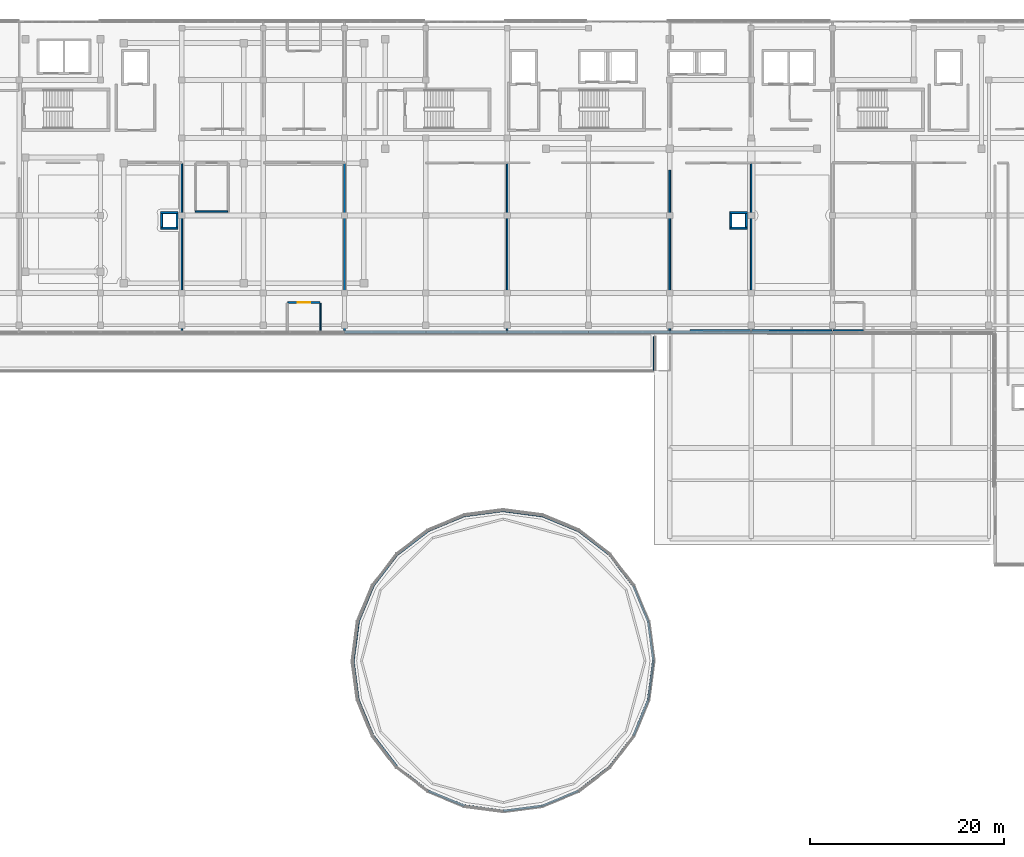
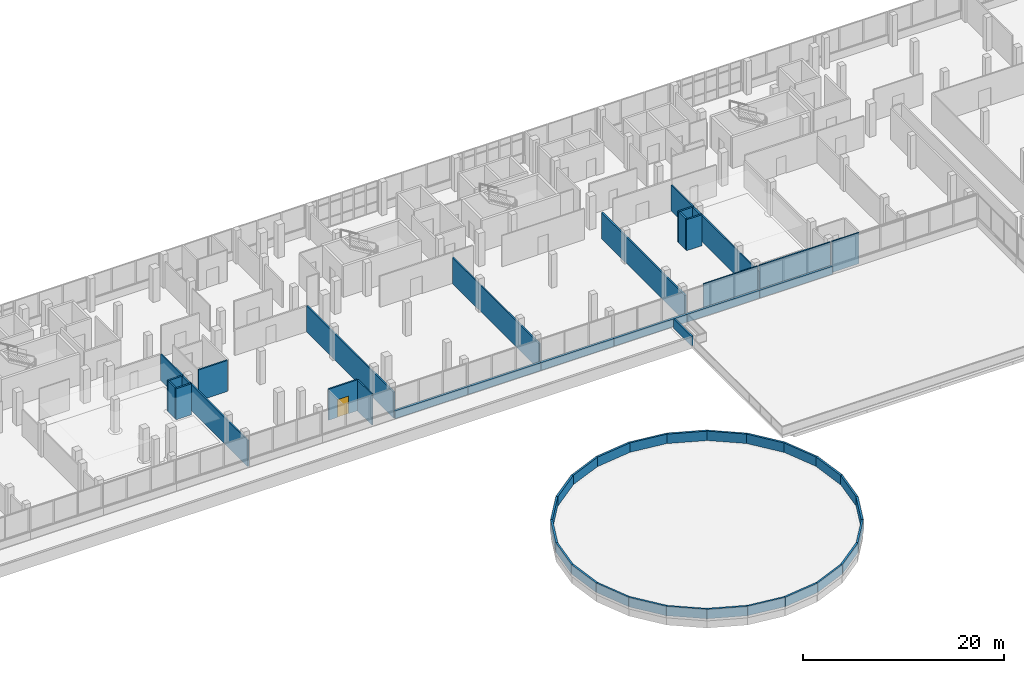
# One storey, part 65 of 78: 50 walls, 1 door, 1 opening.
"""IFC4 building model written with IfcOpenShell, lengths in metres."""

from ifc_helpers import new_model, si_unit, direction, frame, frame_2d, origin, place, context, subcontext, project, spatial, rectangle, extrude, material, layer, layer_set, type_object, element, fill, save


model = new_model("IFC4")

# Units and contexts
model_context = context("Model", 3, precision=1e-05, world=origin(), true_north=direction((0.0, 1.0)))
body_context = subcontext(model_context, "Body", "Model", "MODEL_VIEW")
ifc_project = project(units=[si_unit("LENGTHUNIT", "METRE"), si_unit("AREAUNIT", "SQUARE_METRE"), si_unit("VOLUMEUNIT", "CUBIC_METRE"), si_unit("PLANEANGLEUNIT", "RADIAN"), si_unit("MASSUNIT", "GRAM", prefix="KILO")], contexts=[model_context])

# Site, building, storey
site_placement = place(None, origin())
site = spatial("IfcSite", under=ifc_project, at=site_placement, CompositionType="ELEMENT")
building_placement = place(site_placement, origin())
building = spatial("IfcBuilding", under=site, at=building_placement, Name="Selatvlak General Hospital", CompositionType="ELEMENT")
storey_placement = place(building_placement, frame((0.0, 0.0, 23.25)))
storey = spatial("IfcBuildingStorey", under=building, at=storey_placement, Name="L05", CompositionType="ELEMENT", Elevation=23.25)

# Walls
ifc_material_1 = material(Name="Precast concrete C40/50 - white Bauhaus spandrel", Category="concrete")
ifc_layer_1 = layer(ifc_material_1, 0.280029296875, Name="Precast concrete C40/50 - white Bauhaus spandrel", Category="concrete")
ifc_layer_set_1 = layer_set([ifc_layer_1], Name="Precast concrete C40/50 - white Bauhaus spandrel")
wall_type_1 = type_object("IfcWallType", Name="WALL-EW-02", PredefinedType="SOLIDWALL", material=ifc_layer_set_1)
for number, where, z_axis, x_axis, name in (
    (1, (131.998046875, 87.947998046875, 0.0), (0.0, 0.0, 1.0), (-0.999999891771, 0.000465251476, 0.0), "L05 Bauhaus spandrel sill wall 0510"),
    (2, (123.597900390625, 87.951904296875, 0.0), (0.0, 0.0, 1.0), (-0.999999877819, 0.000494329687, 0.0), "L05 Bauhaus spandrel sill wall 0511"),
    (3, (115.197998046875, 87.9560546875, 0.0), (0.0, 0.0, 1.0), (-0.999999891771, 0.000465251476, 0.0), "L05 Bauhaus spandrel sill wall 0512"),
    (4, (106.798095703125, 87.9599609375, 0.0), (0.0, 0.0, 1.0), (-0.999999877819, 0.000494329687, 0.0), "L05 Bauhaus spandrel sill wall 0513"),
    (5, (98.39794921875, 87.964111328125, 0.0), (0.0, 0.0, 1.0), (-0.999999891771, 0.000465251476, 0.0), "L05 Bauhaus spandrel sill wall 0514"),
    (6, (89.998046875, 87.968017578125, 0.0), (0.0, 0.0, 1.0), (-0.999999891771, 0.000465251476, 0.0), "L05 Bauhaus spandrel sill wall 0515"),
):
    element("IfcWall", number, at=place(storey_placement, frame(where, z_axis=z_axis, x_axis=x_axis)), inside=storey, type_object=wall_type_1, Name=name, PredefinedType="SOLIDWALL", context=body_context, shape_type="SweptSolid", body=[
        extrude(rectangle(XDim=8.39599609375, YDim=0.280029296875, at=frame_2d((4.197998046875, 0.0))), origin(), (0.0, 0.0, 1.0), 0.93994140625),
    ])
ifc_material_2 = material(Name="Concrete C40/50", Category="concrete")
ifc_layer_2 = layer(ifc_material_2, 0.199951171875, Name="Concrete C40/50", Category="concrete")
ifc_layer_set_2 = layer_set([ifc_layer_2], Name="Concrete C40/50")
wall_type_2 = type_object("IfcWallType", Name="WALL-IW-02", PredefinedType="SOLIDWALL", material=ifc_layer_set_2)
wall_1_placement = place(storey_placement, frame((62.60009765625, 98.699951171875, 0.0), z_axis=(0.0, 0.0, 1.0), x_axis=(1.0, 0.0, 0.0)))
element("IfcWall", 7, at=wall_1_placement, inside=storey, type_object=wall_type_2, Name="Service riser 1 shaft wall L05 S", PredefinedType="SOLIDWALL", context=body_context, shape_type="SweptSolid", body=[
    extrude(rectangle(XDim=1.7998046875, YDim=0.199951171875, at=frame_2d((0.89990234375, 0.0))), origin(), (0.0, 0.0, 1.0), 3.77490234375),
])
wall_2_placement = place(storey_placement, frame((64.300048828125, 98.800048828125, 0.0), z_axis=(0.0, 0.0, 1.0), x_axis=(0.0, 1.0, 0.0)))
element("IfcWall", 8, at=wall_2_placement, inside=storey, type_object=wall_type_2, Name="Service riser 1 shaft wall L05 E", PredefinedType="SOLIDWALL", context=body_context, shape_type="SweptSolid", body=[
    extrude(rectangle(XDim=1.39990234375, YDim=0.199951171875, at=frame_2d((0.699951171875, 0.0))), origin(), (0.0, 0.0, 1.0), 3.77490234375),
])
wall_3_placement = place(storey_placement, frame((64.39990234375, 100.300048828125, 0.0), z_axis=(0.0, 0.0, 1.0), x_axis=(-1.0, 0.0, 0.0)))
element("IfcWall", 9, at=wall_3_placement, inside=storey, type_object=wall_type_2, Name="Service riser 1 shaft wall L05 N", PredefinedType="SOLIDWALL", context=body_context, shape_type="SweptSolid", body=[
    extrude(rectangle(XDim=1.7998046875, YDim=0.199951171875, at=frame_2d((0.89990234375, 0.0))), origin(), (0.0, 0.0, 1.0), 3.77490234375),
])
wall_4_placement = place(storey_placement, frame((62.699951171875, 100.199951171875, 0.0), z_axis=(0.0, 0.0, 1.0), x_axis=(0.0, -1.0, 0.0)))
element("IfcWall", 10, at=wall_4_placement, inside=storey, type_object=wall_type_2, Name="Service riser 1 shaft wall L05 W", PredefinedType="SOLIDWALL", context=body_context, shape_type="SweptSolid", body=[
    extrude(rectangle(XDim=1.39990234375, YDim=0.199951171875, at=frame_2d((0.699951171875, 0.0))), origin(), (0.0, 0.0, 1.0), 3.77490234375),
])
wall_5_placement = place(storey_placement, frame((121.39990234375, 98.699951171875, 0.0), z_axis=(0.0, 0.0, 1.0), x_axis=(1.0, 0.0, 0.0)))
element("IfcWall", 11, at=wall_5_placement, inside=storey, type_object=wall_type_2, Name="Service riser 2 shaft wall L05 S", PredefinedType="SOLIDWALL", context=body_context, shape_type="SweptSolid", body=[
    extrude(rectangle(XDim=1.800048828125, YDim=0.199951171875, at=frame_2d((0.89990234375, 0.0))), origin(), (0.0, 0.0, 1.0), 3.77490234375),
])
wall_6_placement = place(storey_placement, frame((123.10009765625, 98.800048828125, 0.0), z_axis=(0.0, 0.0, 1.0), x_axis=(0.0, 1.0, 0.0)))
element("IfcWall", 12, at=wall_6_placement, inside=storey, type_object=wall_type_2, Name="Service riser 2 shaft wall L05 E", PredefinedType="SOLIDWALL", context=body_context, shape_type="SweptSolid", body=[
    extrude(rectangle(XDim=1.39990234375, YDim=0.199951171875, at=frame_2d((0.699951171875, 0.0))), origin(), (0.0, 0.0, 1.0), 3.77490234375),
])
wall_7_placement = place(storey_placement, frame((123.199951171875, 100.300048828125, 0.0), z_axis=(0.0, 0.0, 1.0), x_axis=(-1.0, 0.0, 0.0)))
element("IfcWall", 13, at=wall_7_placement, inside=storey, type_object=wall_type_2, Name="Service riser 2 shaft wall L05 N", PredefinedType="SOLIDWALL", context=body_context, shape_type="SweptSolid", body=[
    extrude(rectangle(XDim=1.800048828125, YDim=0.199951171875, at=frame_2d((0.89990234375, 0.0))), origin(), (0.0, 0.0, 1.0), 3.77490234375),
])
wall_8_placement = place(storey_placement, frame((121.5, 100.199951171875, 0.0), z_axis=(0.0, 0.0, 1.0), x_axis=(0.0, -1.0, 0.0)))
element("IfcWall", 14, at=wall_8_placement, inside=storey, type_object=wall_type_2, Name="Service riser 2 shaft wall L05 W", PredefinedType="SOLIDWALL", context=body_context, shape_type="SweptSolid", body=[
    extrude(rectangle(XDim=1.39990234375, YDim=0.199951171875, at=frame_2d((0.699951171875, 0.0))), origin(), (0.0, 0.0, 1.0), 3.77490234375),
])
ifc_material_3 = material(Name="Precast concrete C40/50 - white fair-faced", Category="concrete")
ifc_layer_3 = layer(ifc_material_3, 0.199951171875, Name="Precast concrete C40/50 - white fair-faced", Category="concrete")
ifc_layer_set_3 = layer_set([ifc_layer_3], Name="Precast concrete C40/50 - white fair-faced")
wall_type_3 = type_object("IfcWallType", Name="WALL-PR-01", PredefinedType="PARAPET", material=ifc_layer_set_3)
wall_9_placement = place(storey_placement, frame((113.594970703125, 87.47705078125, 0.050048828125), z_axis=(0.0, 0.0, 1.0), x_axis=(0.0, -1.0, 0.0)))
element("IfcWall", 15, at=wall_9_placement, inside=storey, type_object=wall_type_3, Name="L05 roof parapet upstand PAR-L05-037", PredefinedType="PARAPET", context=body_context, shape_type="SweptSolid", body=[
    extrude(rectangle(XDim=3.47705078125, YDim=0.199951171875, at=frame_2d((1.738525390625, 0.0))), origin(), (0.0, 0.0, 1.0), 1.14990234375),
])
for number, where, z_axis, x_axis, name in (
    (16, (112.971923828125, 58.011962890625, 1.35009765625), (0.0, 0.0, 1.0), (-0.382785205205, 0.923837370253, 0.0), "L05 roof parapet upstand PAR-L05-045"),
    (17, (108.9599609375, 64.9599609375, 1.35009765625), (0.0, 0.0, 1.0), (-0.793347955944, 0.608768445963, 0.0), "L05 roof parapet upstand PAR-L05-047"),
):
    element("IfcWall", number, at=place(storey_placement, frame(where, z_axis=z_axis, x_axis=x_axis)), inside=storey, type_object=wall_type_3, Name=name, PredefinedType="PARAPET", context=body_context, shape_type="SweptSolid", body=[
        extrude(rectangle(XDim=4.046142578125, YDim=0.199951171875, at=frame_2d((2.02294921875, 0.0))), origin(), (0.0, 0.0, 1.0), 1.14990234375),
    ])
wall_10_placement = place(storey_placement, frame((102.011962890625, 68.971923828125, 1.35009765625), z_axis=(0.0, 0.0, 1.0), x_axis=(-0.991448339267, 0.130499772277, 0.0)))
element("IfcWall", 18, at=wall_10_placement, inside=storey, type_object=wall_type_3, Name="L05 roof parapet upstand PAR-L05-049", PredefinedType="PARAPET", context=body_context, shape_type="SweptSolid", body=[
    extrude(rectangle(XDim=4.046630859375, YDim=0.199951171875, at=frame_2d((2.0234375, 0.0))), origin(), (0.0, 0.0, 1.0), 1.14990234375),
])
for number, where, z_axis, x_axis, name in (
    (19, (93.988037109375, 68.971923828125, 1.35009765625), (0.0, 0.0, 1.0), (-0.923837370253, -0.382785205205, 0.0), "L05 roof parapet upstand PAR-L05-051"),
    (20, (87.0400390625, 64.9599609375, 1.35009765625), (0.0, 0.0, 1.0), (-0.608768445963, -0.793347955944, 0.0), "L05 roof parapet upstand PAR-L05-053"),
):
    element("IfcWall", number, at=place(storey_placement, frame(where, z_axis=z_axis, x_axis=x_axis)), inside=storey, type_object=wall_type_3, Name=name, PredefinedType="PARAPET", context=body_context, shape_type="SweptSolid", body=[
        extrude(rectangle(XDim=4.046142578125, YDim=0.199951171875, at=frame_2d((2.02294921875, 0.0))), origin(), (0.0, 0.0, 1.0), 1.14990234375),
    ])
wall_11_placement = place(storey_placement, frame((83.028076171875, 58.011962890625, 1.35009765625), z_axis=(0.0, 0.0, 1.0), x_axis=(-0.130499772277, -0.991448339267, 0.0)))
element("IfcWall", 21, at=wall_11_placement, inside=storey, type_object=wall_type_3, Name="L05 roof parapet upstand PAR-L05-055", PredefinedType="PARAPET", context=body_context, shape_type="SweptSolid", body=[
    extrude(rectangle(XDim=4.046630859375, YDim=0.199951171875, at=frame_2d((2.0234375, 0.0))), origin(), (0.0, 0.0, 1.0), 1.14990234375),
])
for number, where, z_axis, x_axis, name in (
    (22, (83.028076171875, 49.988037109375, 1.35009765625), (0.0, 0.0, 1.0), (0.382785205205, -0.923837370253, 0.0), "L05 roof parapet upstand PAR-L05-057"),
    (23, (87.0400390625, 43.0400390625, 1.35009765625), (0.0, 0.0, 1.0), (0.793347955944, -0.608768445963, 0.0), "L05 roof parapet upstand PAR-L05-059"),
):
    element("IfcWall", number, at=place(storey_placement, frame(where, z_axis=z_axis, x_axis=x_axis)), inside=storey, type_object=wall_type_3, Name=name, PredefinedType="PARAPET", context=body_context, shape_type="SweptSolid", body=[
        extrude(rectangle(XDim=4.046142578125, YDim=0.199951171875, at=frame_2d((2.02294921875, 0.0))), origin(), (0.0, 0.0, 1.0), 1.14990234375),
    ])
wall_12_placement = place(storey_placement, frame((93.988037109375, 39.028076171875, 1.35009765625), z_axis=(0.0, 0.0, 1.0), x_axis=(0.991448339267, -0.130499772277, 0.0)))
element("IfcWall", 24, at=wall_12_placement, inside=storey, type_object=wall_type_3, Name="L05 roof parapet upstand PAR-L05-061", PredefinedType="PARAPET", context=body_context, shape_type="SweptSolid", body=[
    extrude(rectangle(XDim=4.046630859375, YDim=0.199951171875, at=frame_2d((2.0234375, 0.0))), origin(), (0.0, 0.0, 1.0), 1.14990234375),
])
for number, where, z_axis, x_axis, name in (
    (25, (102.011962890625, 39.028076171875, 1.35009765625), (0.0, 0.0, 1.0), (0.923837370253, 0.382785205205, 0.0), "L05 roof parapet upstand PAR-L05-063"),
    (26, (108.9599609375, 43.0400390625, 1.35009765625), (0.0, 0.0, 1.0), (0.608768445963, 0.793347955944, 0.0), "L05 roof parapet upstand PAR-L05-065"),
):
    element("IfcWall", number, at=place(storey_placement, frame(where, z_axis=z_axis, x_axis=x_axis)), inside=storey, type_object=wall_type_3, Name=name, PredefinedType="PARAPET", context=body_context, shape_type="SweptSolid", body=[
        extrude(rectangle(XDim=4.046142578125, YDim=0.199951171875, at=frame_2d((2.02294921875, 0.0))), origin(), (0.0, 0.0, 1.0), 1.14990234375),
    ])
wall_13_placement = place(storey_placement, frame((112.971923828125, 49.988037109375, 1.35009765625), z_axis=(0.0, 0.0, 1.0), x_axis=(0.130499772277, 0.991448339267, 0.0)))
element("IfcWall", 27, at=wall_13_placement, inside=storey, type_object=wall_type_3, Name="L05 roof parapet upstand PAR-L05-067", PredefinedType="PARAPET", context=body_context, shape_type="SweptSolid", body=[
    extrude(rectangle(XDim=4.046630859375, YDim=0.199951171875, at=frame_2d((2.0234375, 0.0))), origin(), (0.0, 0.0, 1.0), 1.14990234375),
])
ifc_layer_4 = layer(ifc_material_3, 0.219970703125, Name="Precast concrete C40/50 - white fair-faced", Category="concrete")
ifc_layer_set_4 = layer_set([ifc_layer_4], Name="Precast concrete C40/50 - white fair-faced")
wall_type_4 = type_object("IfcWallType", Name="WALL-PR-02", PredefinedType="PARAPET", material=ifc_layer_set_4)
wall_14_placement = place(storey_placement, frame((113.5, 54.0, 1.35009765625), z_axis=(0.0, 0.0, 1.0), x_axis=(-0.130499772277, 0.991448339267, 0.0)))
element("IfcWall", 28, at=wall_14_placement, inside=storey, type_object=wall_type_4, Name="L05 roof parapet upstand PAR-L05-044", PredefinedType="PARAPET", context=body_context, shape_type="SweptSolid", body=[
    extrude(rectangle(XDim=4.046630859375, YDim=0.219970703125, at=frame_2d((2.0234375, 0.0))), origin(), (0.0, 0.0, 1.0), 1.14990234375),
])
for number, where, z_axis, x_axis, name in (
    (29, (111.423095703125, 61.75, 1.35009765625), (0.0, 0.0, 1.0), (-0.608768445963, 0.793347955944, 0.0), "L05 roof parapet upstand PAR-L05-046"),
    (30, (105.75, 67.423095703125, 1.35009765625), (0.0, 0.0, 1.0), (-0.923837370253, 0.382785205205, 0.0), "L05 roof parapet upstand PAR-L05-048"),
):
    element("IfcWall", number, at=place(storey_placement, frame(where, z_axis=z_axis, x_axis=x_axis)), inside=storey, type_object=wall_type_4, Name=name, PredefinedType="PARAPET", context=body_context, shape_type="SweptSolid", body=[
        extrude(rectangle(XDim=4.046142578125, YDim=0.219970703125, at=frame_2d((2.02294921875, 0.0))), origin(), (0.0, 0.0, 1.0), 1.14990234375),
    ])
wall_15_placement = place(storey_placement, frame((98.0, 69.5, 1.35009765625), z_axis=(0.0, 0.0, 1.0), x_axis=(-0.991448339267, -0.130499772277, 0.0)))
element("IfcWall", 31, at=wall_15_placement, inside=storey, type_object=wall_type_4, Name="L05 roof parapet upstand PAR-L05-050", PredefinedType="PARAPET", context=body_context, shape_type="SweptSolid", body=[
    extrude(rectangle(XDim=4.046630859375, YDim=0.219970703125, at=frame_2d((2.0234375, 0.0))), origin(), (0.0, 0.0, 1.0), 1.14990234375),
])
for number, where, z_axis, x_axis, name in (
    (32, (90.25, 67.423095703125, 1.35009765625), (0.0, 0.0, 1.0), (-0.793347955944, -0.608768445963, 0.0), "L05 roof parapet upstand PAR-L05-052"),
    (33, (84.576904296875, 61.75, 1.35009765625), (0.0, 0.0, 1.0), (-0.382785205205, -0.923837370253, 0.0), "L05 roof parapet upstand PAR-L05-054"),
):
    element("IfcWall", number, at=place(storey_placement, frame(where, z_axis=z_axis, x_axis=x_axis)), inside=storey, type_object=wall_type_4, Name=name, PredefinedType="PARAPET", context=body_context, shape_type="SweptSolid", body=[
        extrude(rectangle(XDim=4.046142578125, YDim=0.219970703125, at=frame_2d((2.02294921875, 0.0))), origin(), (0.0, 0.0, 1.0), 1.14990234375),
    ])
wall_16_placement = place(storey_placement, frame((82.5, 54.0, 1.35009765625), z_axis=(0.0, 0.0, 1.0), x_axis=(0.130499772277, -0.991448339267, 0.0)))
element("IfcWall", 34, at=wall_16_placement, inside=storey, type_object=wall_type_4, Name="L05 roof parapet upstand PAR-L05-056", PredefinedType="PARAPET", context=body_context, shape_type="SweptSolid", body=[
    extrude(rectangle(XDim=4.046630859375, YDim=0.219970703125, at=frame_2d((2.0234375, 0.0))), origin(), (0.0, 0.0, 1.0), 1.14990234375),
])
for number, where, z_axis, x_axis, name in (
    (35, (84.576904296875, 46.25, 1.35009765625), (0.0, 0.0, 1.0), (0.608768445963, -0.793347955944, 0.0), "L05 roof parapet upstand PAR-L05-058"),
    (36, (90.25, 40.576904296875, 1.35009765625), (0.0, 0.0, 1.0), (0.923837370253, -0.382785205205, 0.0), "L05 roof parapet upstand PAR-L05-060"),
):
    element("IfcWall", number, at=place(storey_placement, frame(where, z_axis=z_axis, x_axis=x_axis)), inside=storey, type_object=wall_type_4, Name=name, PredefinedType="PARAPET", context=body_context, shape_type="SweptSolid", body=[
        extrude(rectangle(XDim=4.046142578125, YDim=0.219970703125, at=frame_2d((2.02294921875, 0.0))), origin(), (0.0, 0.0, 1.0), 1.14990234375),
    ])
wall_17_placement = place(storey_placement, frame((98.0, 38.5, 1.35009765625), z_axis=(0.0, 0.0, 1.0), x_axis=(0.991448339267, 0.130499772277, 0.0)))
element("IfcWall", 37, at=wall_17_placement, inside=storey, type_object=wall_type_4, Name="L05 roof parapet upstand PAR-L05-062", PredefinedType="PARAPET", context=body_context, shape_type="SweptSolid", body=[
    extrude(rectangle(XDim=4.046630859375, YDim=0.219970703125, at=frame_2d((2.0234375, 0.0))), origin(), (0.0, 0.0, 1.0), 1.14990234375),
])
for number, where, z_axis, x_axis, name in (
    (38, (105.75, 40.576904296875, 1.35009765625), (0.0, 0.0, 1.0), (0.793347955944, 0.608768445963, 0.0), "L05 roof parapet upstand PAR-L05-064"),
    (39, (111.423095703125, 46.25, 1.35009765625), (0.0, 0.0, 1.0), (0.382785205205, 0.923837370253, 0.0), "L05 roof parapet upstand PAR-L05-066"),
):
    element("IfcWall", number, at=place(storey_placement, frame(where, z_axis=z_axis, x_axis=x_axis)), inside=storey, type_object=wall_type_4, Name=name, PredefinedType="PARAPET", context=body_context, shape_type="SweptSolid", body=[
        extrude(rectangle(XDim=4.046142578125, YDim=0.219970703125, at=frame_2d((2.02294921875, 0.0))), origin(), (0.0, 0.0, 1.0), 1.14990234375),
    ])

# Wall, opening, door
ifc_material_4 = material(Name="Acoustic gypsum stud partition")
ifc_layer_5 = layer(ifc_material_4, 0.179931640625, Name="Acoustic gypsum stud partition")
ifc_layer_set_5 = layer_set([ifc_layer_5], Name="Acoustic gypsum stud partition")
wall_type_5 = type_object("IfcWallType", Name="WALL-PT-01", PredefinedType="PARTITIONING", material=ifc_layer_set_5)
wall_18_placement = place(storey_placement, frame((79.050048828125, 91.0, 0.0), z_axis=(0.0, 0.0, 1.0), x_axis=(-1.0, 0.0, 0.0)))
wall_18 = element("IfcWall", 40, at=wall_18_placement, inside=storey, type_object=wall_type_5, Name="L05 clinical partition PT-L05-1872", PredefinedType="PARTITIONING", context=body_context, shape_type="SweptSolid", body=[
    extrude(rectangle(XDim=3.300048828125, YDim=0.179931640625, at=frame_2d((1.64990234375, 0.0))), origin(), (0.0, 0.0, 1.0), 3.77490234375),
])
opening_placement = place(wall_18_placement, frame((1.0, 0.0, 0.0)))
opening = element("IfcOpeningElement", 41, at=opening_placement, cuts=wall_18, Name="Opening D-09", PredefinedType="OPENING", context=body_context, shape_type="SweptSolid", body=[
    extrude(rectangle(XDim=1.300048828125, YDim=2.14990234375, at=frame_2d((0.64990234375, 1.074951171875))), frame((0.0, 0.099853515625, 0.0), z_axis=(0.0, -1.0, 0.0), x_axis=(1.0, 0.0, 0.0)), (0.0, 0.0, 1.0), 0.199951171875),
])
ifc_material_5 = material(Name="Outpatient procedure door")
door_type = type_object("IfcDoorType", Name="DOOR-D-09", OperationType="NOTDEFINED", PredefinedType="DOOR", material=ifc_material_5)
door_placement = place(opening_placement, origin())
door = element("IfcDoor", 42, at=door_placement, inside=storey, type_object=door_type, Name="L05 Patient En-Suite WC 07 door", OperationType="SINGLE_SWING_LEFT", OverallHeight=2.14990234375, OverallWidth=1.300048828125, PredefinedType="DOOR", context=body_context, shape_type="SweptSolid", body=[
    extrude(rectangle(XDim=1.300048828125, YDim=2.14990234375, at=frame_2d((0.64990234375, 1.074951171875))), frame((0.0, 0.02490234375, 0.0), z_axis=(0.0, -1.0, 0.0), x_axis=(1.0, 0.0, 0.0)), (0.0, 0.0, 1.0), 0.050048828125),
])
fill(opening, door)

# Walls
wall_19_placement = place(storey_placement, frame((115.199951171875, 104.68994140625, 0.0), z_axis=(0.0, 0.0, 1.0), x_axis=(0.0, -1.0, 0.0)))
element("IfcWall", 43, at=wall_19_placement, inside=storey, type_object=wall_type_5, Name="L05 clinical partition PT-L05-1880", PredefinedType="PARTITIONING", context=body_context, shape_type="SweptSolid", body=[
    extrude(rectangle(XDim=16.679931640625, YDim=0.179931640625, at=frame_2d((8.33984375, 0.0))), origin(), (0.0, 0.0, 1.0), 3.175048828125),
])
ifc_layer_6 = layer(ifc_material_4, 0.1650390625, Name="Acoustic gypsum stud partition")
ifc_layer_set_6 = layer_set([ifc_layer_6], Name="Acoustic gypsum stud partition")
wall_type_6 = type_object("IfcWallType", Name="WALL-PT-02", PredefinedType="PARTITIONING", material=ifc_layer_set_6)
wall_20_placement = place(storey_placement, frame((69.513916015625, 100.39990234375, 0.0), z_axis=(0.0, 0.0, 1.0), x_axis=(-1.0, 0.0, 0.0)))
element("IfcWall", 44, at=wall_20_placement, inside=storey, type_object=wall_type_6, Name="L05 clinical partition PT-L05-1837", PredefinedType="PARTITIONING", context=body_context, shape_type="SweptSolid", body=[
    extrude(rectangle(XDim=3.31396484375, YDim=0.1650390625, at=frame_2d((1.656982421875, 0.0))), origin(), (0.0, 0.0, 1.0), 3.77490234375),
])
for number, where, z_axis, x_axis, name in (
    (45, (64.800048828125, 105.35400390625, 0.0), (0.0, 0.0, 1.0), (0.0, -1.0, 0.0), "L05 clinical partition PT-L05-1866"),
    (46, (81.60009765625, 105.35400390625, 0.0), (0.0, 0.0, 1.0), (0.0, -1.0, 0.0), "L05 clinical partition PT-L05-1870"),
):
    element("IfcWall", number, at=place(storey_placement, frame(where, z_axis=z_axis, x_axis=x_axis)), inside=storey, type_object=wall_type_6, Name=name, PredefinedType="PARTITIONING", context=body_context, shape_type="SweptSolid", body=[
        extrude(rectangle(XDim=17.343994140625, YDim=0.1650390625, at=frame_2d((8.671875, 0.0))), origin(), (0.0, 0.0, 1.0), 3.175048828125),
    ])
wall_21_placement = place(storey_placement, frame((131.9140625, 88.139892578125, 0.0), z_axis=(0.0, 0.0, 1.0), x_axis=(-1.0, 0.0, 0.0)))
element("IfcWall", 47, at=wall_21_placement, inside=storey, type_object=wall_type_6, Name="L05 clinical partition PT-L05-1886", PredefinedType="PARTITIONING", context=body_context, shape_type="SweptSolid", body=[
    extrude(rectangle(XDim=8.2431640625, YDim=0.1650390625, at=frame_2d((4.12158203125, 0.0))), origin(), (0.0, 0.0, 1.0), 3.77490234375),
])
ifc_layer_7 = layer(ifc_material_4, 0.14990234375, Name="Acoustic gypsum stud partition")
ifc_layer_set_7 = layer_set([ifc_layer_7], Name="Acoustic gypsum stud partition")
wall_type_7 = type_object("IfcWallType", Name="WALL-PT-03", PredefinedType="PARTITIONING", material=ifc_layer_set_7)
for number, where, z_axis, x_axis, name in (
    (48, (98.39990234375, 105.361083984375, 0.0), (0.0, 0.0, 1.0), (0.0, -1.0, 0.0), "L05 clinical partition PT-L05-1877"),
    (49, (123.60009765625, 105.361083984375, 0.0), (0.0, 0.0, 1.0), (0.0, -1.0, 0.0), "L05 clinical partition PT-L05-1882"),
):
    element("IfcWall", number, at=place(storey_placement, frame(where, z_axis=z_axis, x_axis=x_axis)), inside=storey, type_object=wall_type_7, Name=name, PredefinedType="PARTITIONING", context=body_context, shape_type="SweptSolid", body=[
        extrude(rectangle(XDim=17.35107421875, YDim=0.14990234375, at=frame_2d((8.675537109375, 0.0))), origin(), (0.0, 0.0, 1.0), 3.175048828125),
    ])
ifc_material_6 = material(Name="Moisture-resistant clinical partition")
ifc_layer_8 = layer(ifc_material_6, 0.135009765625, Name="Moisture-resistant clinical partition")
ifc_layer_set_8 = layer_set([ifc_layer_8], Name="Moisture-resistant clinical partition")
wall_type_8 = type_object("IfcWallType", Name="WALL-PT-04", PredefinedType="PARTITIONING", material=ifc_layer_set_8)
wall_22_placement = place(storey_placement, frame((79.110107421875, 88.014892578125, 0.0), z_axis=(0.0, 0.0, 1.0), x_axis=(0.0, 1.0, 0.0)))
element("IfcWall", 50, at=wall_22_placement, inside=storey, type_object=wall_type_8, Name="L05 clinical partition PT-L05-1871", PredefinedType="PARTITIONING", context=body_context, shape_type="SweptSolid", body=[
    extrude(rectangle(XDim=2.925048828125, YDim=0.135009765625, at=frame_2d((1.46240234375, 0.0))), origin(), (0.0, 0.0, 1.0), 3.77490234375),
])
wall_23_placement = place(storey_placement, frame((123.529052734375, 88.139892578125, 0.0), z_axis=(0.0, 0.0, 1.0), x_axis=(-1.0, 0.0, 0.0)))
element("IfcWall", 51, at=wall_23_placement, inside=storey, type_object=wall_type_8, Name="L05 clinical partition PT-L05-1883", PredefinedType="PARTITIONING", context=body_context, shape_type="SweptSolid", body=[
    extrude(rectangle(XDim=6.22802734375, YDim=0.135009765625, at=frame_2d((3.114013671875, 0.0))), origin(), (0.0, 0.0, 1.0), 3.77490234375),
])
wall_24_placement = place(storey_placement, frame((135.199951171875, 88.139892578125, 0.0), z_axis=(0.0, 0.0, 1.0), x_axis=(-1.0, 0.0, 0.0)))
element("IfcWall", 52, at=wall_24_placement, inside=storey, type_object=wall_type_8, Name="L05 clinical partition PT-L05-1892", PredefinedType="PARTITIONING", context=body_context, shape_type="SweptSolid", body=[
    extrude(rectangle(XDim=3.114013671875, YDim=0.135009765625, at=frame_2d((1.55712890625, 0.0))), origin(), (0.0, 0.0, 1.0), 3.77490234375),
])

save(model, "model.ifc")
